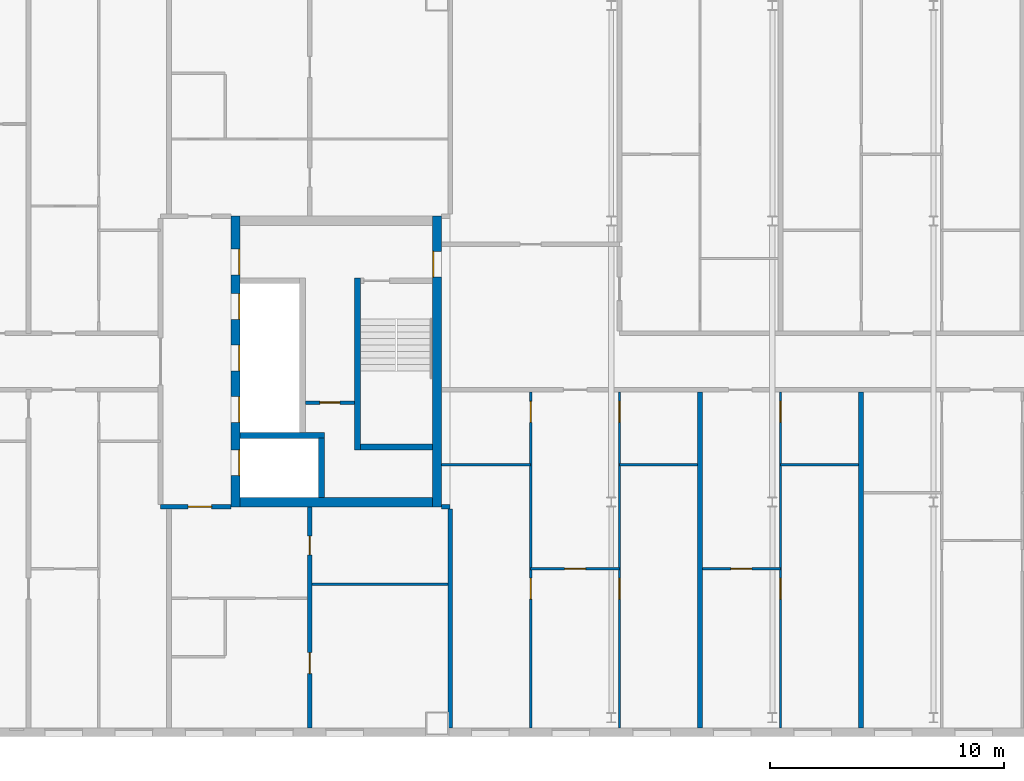
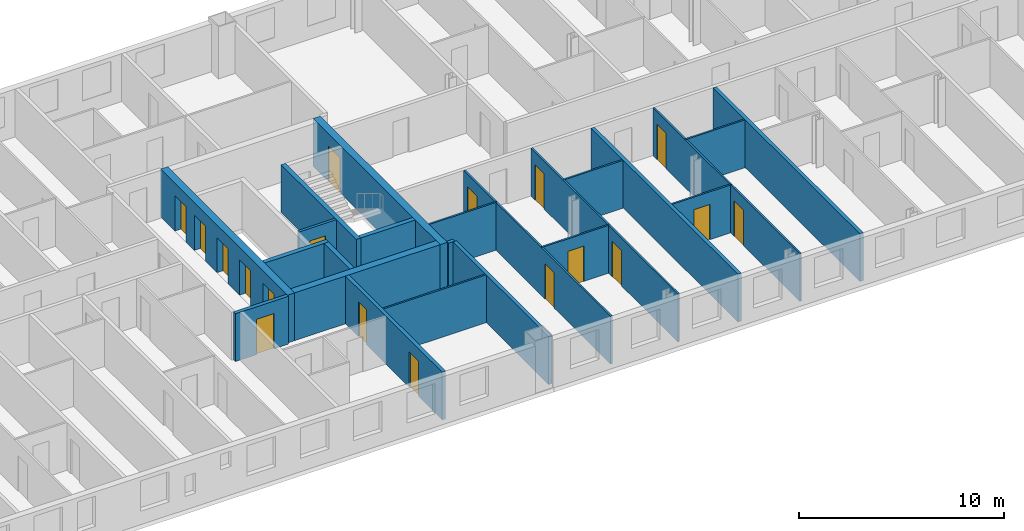
# One storey, part 8 of 19: 23 walls, 18 doors, 18 openings.
"""IFC4 building model written with IfcOpenShell, lengths in metres."""

import ifcopenshell
import ifcopenshell.guid

model = None  # the IFC model being written
_history = None  # IfcOwnerHistory: only IFC2X3 demands one
_inside = {}  # id of a spatial element -> (the spatial element, [elements in it])
_under = {}  # id of a project, library or spatial element -> (it, [spatial elements below it])
_declared = {}  # id of a project -> (the project, [libraries it declares])
_typed = {}  # id of a type object -> (the type object, [elements of that type])
_made_of = {}  # id of a material, layer set ... -> (it, [elements and type objects made of it])


def new_model(schema):
    """Start an empty IFC model of exactly this schema.

    Asked for "IFC4X3", IfcOpenShell would pick the latest addendum, in which some entities
    have other attributes; the version numbers below select the first issue.
    IFC2X3 requires an IfcOwnerHistory on every rooted entity: one is made here for all.
    """
    global model, _history
    if schema == "IFC4X3":
        model = ifcopenshell.file(schema_version=(4, 3, 0, 0))
    else:
        model = ifcopenshell.file(schema=schema)
    _inside.clear()
    _under.clear()
    _declared.clear()
    _typed.clear()
    _made_of.clear()
    _history = None
    if model.schema == "IFC2X3":
        org = make("IfcOrganization", Name="unknown")
        user = make(
            "IfcPersonAndOrganization",
            ThePerson=make("IfcPerson", FamilyName="unknown"),
            TheOrganization=org,
        )
        app = make(
            "IfcApplication",
            ApplicationDeveloper=org,
            Version="unknown",
            ApplicationFullName="unknown",
            ApplicationIdentifier="unknown",
        )
        _history = make(
            "IfcOwnerHistory",
            OwningUser=user,
            OwningApplication=app,
            ChangeAction="ADDED",
            CreationDate=0,
        )
    return model


def make(cls, **values):
    """One entity of the class cls with the attributes given. An attribute that is None is left unset."""
    return model.create_entity(
        cls, **{name: value for name, value in values.items() if value is not None}
    )


def rooted(cls, **values):
    """An entity with a GlobalId (a new one), such as an element, a storey or a relation."""
    return make(cls, GlobalId=ifcopenshell.guid.new(), OwnerHistory=_history, **values)


def si_unit(unit_type, name, prefix=None):
    """IfcSIUnit, for example si_unit("LENGTHUNIT", "METRE", prefix="MILLI")."""
    return make("IfcSIUnit", UnitType=unit_type, Prefix=prefix, Name=name)


def assignment(units):
    """IfcUnitAssignment: the units of a project."""
    return None if units is None else make("IfcUnitAssignment", Units=units)


def point(xyz):
    """IfcCartesianPoint."""
    return None if xyz is None else make("IfcCartesianPoint", Coordinates=xyz)


def direction(xyz):
    """IfcDirection."""
    return None if xyz is None else make("IfcDirection", DirectionRatios=xyz)


def frame(location, z_axis=None, x_axis=None):
    """IfcAxis2Placement3D, a coordinate frame: its origin and axes. An axis left out is left unset."""
    return make(
        "IfcAxis2Placement3D",
        Location=point(location),
        Axis=direction(z_axis),
        RefDirection=direction(x_axis),
    )


def frame_2d(location, x_axis=None):
    """IfcAxis2Placement2D, a coordinate frame in the plane: its origin and x axis."""
    return make(
        "IfcAxis2Placement2D", Location=point(location), RefDirection=direction(x_axis)
    )


def origin():
    """The frame at (0, 0, 0) with its axes left unset."""
    return frame((0.0, 0.0, 0.0))


def place(relative_to, where):
    """IfcLocalPlacement: puts the frame where relative to a parent placement (None: the world)."""
    return make(
        "IfcLocalPlacement", PlacementRelTo=relative_to, RelativePlacement=where
    )


def context(
    kind, dimensions, precision=None, world=None, true_north=None, identifier=None
):
    """IfcGeometricRepresentationContext, for example the 3D "Model" context."""
    return make(
        "IfcGeometricRepresentationContext",
        ContextIdentifier=identifier,
        ContextType=kind,
        CoordinateSpaceDimension=dimensions,
        Precision=precision,
        WorldCoordinateSystem=world,
        TrueNorth=true_north,
    )


def subcontext(parent, identifier, kind, view, scale=None):
    """IfcGeometricRepresentationSubContext, for example "Body" below "Model"."""
    return make(
        "IfcGeometricRepresentationSubContext",
        ContextIdentifier=identifier,
        ContextType=kind,
        ParentContext=parent,
        TargetScale=scale,
        TargetView=view,
    )


def project(units=None, contexts=None):
    """IfcProject with its units and contexts."""
    return rooted(
        "IfcProject",
        Name="project",
        RepresentationContexts=contexts,
        UnitsInContext=assignment(units),
    )


def spatial(cls, under=None, at=None, **own):
    """A site, building, storey or space (cls), placed at a placement, below another one or the project."""
    s = rooted(cls, ObjectPlacement=at, **own)
    if under is not None:
        _under.setdefault(under.id(), (under, []))[1].append(s)
    return s


def profile(cls, at=None, kind="AREA", **sizes):
    """A parametric profile (cls). Its sizes go by their IFC names, for example OverallWidth=200.0."""
    return make(cls, ProfileType=kind, Position=at, **sizes)


def rectangle(**sizes):
    """IfcRectangleProfileDef."""
    return profile("IfcRectangleProfileDef", **sizes)


def extrude(swept, where, along, depth):
    """IfcExtrudedAreaSolid: the profile swept, set in the frame where, extruded along a direction by depth."""
    return make(
        "IfcExtrudedAreaSolid",
        SweptArea=swept,
        Position=where,
        ExtrudedDirection=direction(along),
        Depth=depth,
    )


def shape(context_of_items, identifier, shape_type, items):
    """IfcShapeRepresentation: the items that make up one representation, for example the "Body"."""
    return make(
        "IfcShapeRepresentation",
        ContextOfItems=context_of_items,
        RepresentationIdentifier=identifier,
        RepresentationType=shape_type,
        Items=items,
    )


def material(Name=None, Category=None):
    """IfcMaterial."""
    return make("IfcMaterial", Name=Name, Category=Category)


def layer(
    of_material, thickness, ventilated=None, Name=None, Category=None, Priority=None
):
    """IfcMaterialLayer: one layer of a wall or slab, of a material (None: an air gap)."""
    return make(
        "IfcMaterialLayer",
        Material=of_material,
        LayerThickness=thickness,
        IsVentilated=ventilated,
        Name=Name,
        Category=Category,
        Priority=Priority,
    )


def layer_set(layers, Name=None):
    """IfcMaterialLayerSet."""
    return make("IfcMaterialLayerSet", MaterialLayers=layers, LayerSetName=Name)


def made_of(thing, what):
    """Note that an element or type object is made of a material, layer set ...; save() writes the relation."""
    if what is not None:
        _made_of.setdefault(what.id(), (what, []))[1].append(thing)
    return thing


def type_object(cls, material=None, **own):
    """A type object (cls), such as IfcWallType, which elements share."""
    return made_of(rooted(cls, **own), material)


def element(
    cls,
    number,
    at=None,
    inside=None,
    cuts=None,
    type_object=None,
    material=None,
    context=None,
    identifier="Body",
    shape_type=None,
    held_by="IfcProductDefinitionShape",
    body=None,
    shapes=None,
    **own,
):
    """One element of the class cls, such as IfcWall. Its Tag is "e" and its number.

    at: its placement. inside: the storey or other place that contains it. cuts: it is an
    opening in that element (IfcRelVoidsElement). A single representation is given by context,
    identifier, shape_type and body (its items); several are given by shapes. held_by: the class
    of the entity that holds the representations. save() writes the other relations.
    """
    e = rooted(cls, Tag="e%d" % number, ObjectPlacement=at, **own)
    if body is not None:
        shapes = [shape(context, identifier, shape_type, body)]
    if shapes is not None:
        e.Representation = make(held_by, Representations=shapes)
    if inside is not None:
        _inside.setdefault(inside.id(), (inside, []))[1].append(e)
    if cuts is not None:
        rooted(
            "IfcRelVoidsElement", RelatingBuildingElement=cuts, RelatedOpeningElement=e
        )
    if type_object is not None:
        _typed.setdefault(type_object.id(), (type_object, []))[1].append(e)
    return made_of(e, material)


def fill(opening, filler):
    """IfcRelFillsElement: the door or window that sits in an opening."""
    return rooted(
        "IfcRelFillsElement",
        RelatingOpeningElement=opening,
        RelatedBuildingElement=filler,
    )


def aggregate(whole, parts):
    """IfcRelAggregates: a whole, such as a stair, and the parts it consists of."""
    return rooted("IfcRelAggregates", RelatingObject=whole, RelatedObjects=parts)


def save(model, path):
    """Write the relations noted so far, then the file.

    IfcRelAggregates (storeys below a building ...), IfcRelContainedInSpatialStructure (elements
    in a storey), IfcRelDefinesByType, IfcRelAssociatesMaterial and IfcRelDeclares: one each for
    every whole, place, type object, material and project.
    """
    for whole, parts in _under.values():
        aggregate(whole, parts)
    for where, things in _inside.values():
        rooted(
            "IfcRelContainedInSpatialStructure",
            RelatedElements=things,
            RelatingStructure=where,
        )
    for kind, things in _typed.values():
        rooted("IfcRelDefinesByType", RelatedObjects=things, RelatingType=kind)
    for what, things in _made_of.values():
        rooted("IfcRelAssociatesMaterial", RelatedObjects=things, RelatingMaterial=what)
    for by, libraries in _declared.values():
        rooted("IfcRelDeclares", RelatingContext=by, RelatedDefinitions=libraries)
    model.write(path)


model = new_model("IFC4")

# Units and contexts
model_context = context("Model", 3, precision=1e-05, world=origin(), true_north=direction((0.0, 1.0)))
body_context = subcontext(model_context, "Body", "Model", "MODEL_VIEW")
ifc_project = project(units=[si_unit("LENGTHUNIT", "METRE"), si_unit("AREAUNIT", "SQUARE_METRE"), si_unit("VOLUMEUNIT", "CUBIC_METRE"), si_unit("PLANEANGLEUNIT", "RADIAN"), si_unit("MASSUNIT", "GRAM", prefix="KILO")], contexts=[model_context])

# Site, building, storey
site_placement = place(None, origin())
site = spatial("IfcSite", under=ifc_project, at=site_placement, CompositionType="ELEMENT")
building_placement = place(site_placement, origin())
building = spatial("IfcBuilding", under=site, at=building_placement, Name="Tuart Gate Housing", CompositionType="ELEMENT")
storey_placement = place(building_placement, frame((0.0, 0.0, 230.699951171875)))
storey = spatial("IfcBuildingStorey", under=building, at=storey_placement, Name="L65", CompositionType="ELEMENT", Elevation=230.699951171875)

# Wall, opening, door
ifc_material_1 = material(Name="Plasterboard partition")
ifc_layer_1 = layer(ifc_material_1, 0.14990234375)
ifc_layer_set_1 = layer_set([ifc_layer_1], Name="Core partition 150")
wall_type_1 = type_object("IfcWallType", Name="Core partition 150", PredefinedType="PARTITIONING", material=ifc_layer_set_1)
wall_1_placement = place(storey_placement, frame((69.81494140625, 68.25, 0.0), z_axis=(0.0, 0.0, 1.0), x_axis=(1.0, 0.0, 0.0)))
wall_1 = element("IfcWall", 1, at=wall_1_placement, inside=storey, type_object=wall_type_1, Name="Core partition AG.3", PredefinedType="PARTITIONING", context=body_context, shape_type="SweptSolid", body=[
    extrude(rectangle(XDim=2.10009765625, YDim=0.14990234375, at=frame_2d((1.050048828125, 0.0))), origin(), (0.0, 0.0, 1.0), 2.85009765625),
])
opening_1_placement = place(wall_1_placement, frame((0.625, 0.0, 0.0)))
opening_1 = element("IfcOpeningElement", 2, at=opening_1_placement, cuts=wall_1, Name="Opening D2477", PredefinedType="OPENING", context=body_context, shape_type="SweptSolid", body=[
    extrude(rectangle(XDim=0.85009765625, YDim=2.10009765625, at=frame_2d((0.425048828125, 1.050048828125))), frame((0.0, 0.0849609375, 0.0), z_axis=(0.0, -1.0, 0.0), x_axis=(1.0, 0.0, 0.0)), (0.0, 0.0, 1.0), 0.169921875),
])
ifc_material_2 = material(Name="Steel fire door", Category="steel")
door_type_1 = type_object("IfcDoorType", Name="Riser door 850 x 2100 RH", OperationType="SINGLE_SWING_RIGHT", PredefinedType="DOOR", material=ifc_material_2)
door_1_placement = place(opening_1_placement, frame((0.85009765625, 0.0, 0.0), z_axis=(0.0, 0.0, 1.0), x_axis=(-1.0, 0.0, 0.0)))
door_1 = element("IfcDoor", 3, at=door_1_placement, inside=storey, type_object=door_type_1, Name="Service room door AG.E1", OperationType="SINGLE_SWING_RIGHT", OverallHeight=2.10009765625, OverallWidth=0.85009765625, PredefinedType="DOOR", context=body_context, shape_type="SweptSolid", body=[
    extrude(rectangle(XDim=0.85009765625, YDim=2.10009765625, at=frame_2d((0.425048828125, 1.050048828125))), frame((0.0, 0.025146484375, 0.0), z_axis=(0.0, -1.0, 0.0), x_axis=(1.0, 0.0, 0.0)), (0.0, 0.0, 1.0), 0.050048828125),
])
fill(opening_1, door_1)

# Walls
ifc_material_3 = material(Name="Concrete C40", Category="concrete")
ifc_layer_2 = layer(ifc_material_3, 0.25)
ifc_layer_set_2 = layer_set([ifc_layer_2], Name="Core wall 250 C40")
wall_type_2 = type_object("IfcWallType", Name="Core wall 250 C40", PredefinedType="SHEAR", material=ifc_layer_set_2)
wall_2_placement = place(storey_placement, frame((72.1650390625, 66.35009765625, 0.0), z_axis=(0.0, 0.0, 1.0), x_axis=(1.0, 0.0, 0.0)))
element("IfcWall", 4, at=wall_2_placement, inside=storey, type_object=wall_type_2, Name="Core wall AG.1", PredefinedType="SHEAR", context=body_context, shape_type="SweptSolid", body=[
    extrude(rectangle(XDim=3.074951171875, YDim=0.25, at=frame_2d((1.53759765625, 0.0))), origin(), (0.0, 0.0, 1.0), 2.85009765625),
])
wall_3_placement = place(storey_placement, frame((67.0400390625, 66.85009765625, 0.0), z_axis=(0.0, 0.0, 1.0), x_axis=(1.0, 0.0, 0.0)))
element("IfcWall", 5, at=wall_3_placement, inside=storey, type_object=wall_type_2, Name="Core wall AG.2", PredefinedType="SHEAR", context=body_context, shape_type="SweptSolid", body=[
    extrude(rectangle(XDim=3.594970703125, YDim=0.25, at=frame_2d((1.79736328125, 0.0))), origin(), (0.0, 0.0, 1.0), 2.85009765625),
])
wall_4_placement = place(storey_placement, frame((70.510009765625, 64.199951171875, 0.0), z_axis=(0.0, 0.0, 1.0), x_axis=(0.0, 1.0, 0.0)))
element("IfcWall", 6, at=wall_4_placement, inside=storey, type_object=wall_type_2, Name="Core wall AG.7", PredefinedType="SHEAR", context=body_context, shape_type="SweptSolid", body=[
    extrude(rectangle(XDim=2.525146484375, YDim=0.25, at=frame_2d((1.2626953125, 0.0))), origin(), (0.0, 0.0, 1.0), 2.85009765625),
])
wall_5_placement = place(storey_placement, frame((72.0400390625, 66.22509765625, 0.0), z_axis=(0.0, 0.0, 1.0), x_axis=(0.0, 1.0, 0.0)))
element("IfcWall", 7, at=wall_5_placement, inside=storey, type_object=wall_type_2, Name="Core wall AG.8", PredefinedType="SHEAR", context=body_context, shape_type="SweptSolid", body=[
    extrude(rectangle(XDim=7.349853515625, YDim=0.25, at=frame_2d((3.6748046875, 0.0))), origin(), (0.0, 0.0, 1.0), 2.85009765625),
])

# Wall, openings, doors
ifc_material_4 = material(Name="Concrete C40", Category="concrete")
ifc_layer_3 = layer(ifc_material_4, 0.39990234375)
ifc_layer_set_3 = layer_set([ifc_layer_3], Name="Core wall 400 C40")
wall_type_3 = type_object("IfcWallType", Name="Core wall 400 C40", PredefinedType="SHEAR", material=ifc_layer_set_3)
wall_6_placement = place(storey_placement, frame((66.840087890625, 63.800048828125, 0.0), z_axis=(0.0, 0.0, 1.0), x_axis=(0.0, 1.0, 0.0)))
wall_6 = element("IfcWall", 8, at=wall_6_placement, inside=storey, type_object=wall_type_3, Name="Core wall AG front", PredefinedType="SHEAR", context=body_context, shape_type="SweptSolid", body=[
    extrude(rectangle(XDim=12.39990234375, YDim=0.39990234375, at=frame_2d((6.199951171875, 0.0))), origin(), (0.0, 0.0, 1.0), 2.85009765625),
])
opening_2_placement = place(wall_6_placement, frame((1.324951171875, 0.0, 0.0)))
opening_2 = element("IfcOpeningElement", 9, at=opening_2_placement, cuts=wall_6, Name="Opening LD-FA1", PredefinedType="OPENING", context=body_context, shape_type="SweptSolid", body=[
    extrude(rectangle(XDim=1.10009765625, YDim=2.10009765625, at=frame_2d((0.550048828125, 1.050048828125))), frame((0.0, 0.2099609375, 0.0), z_axis=(0.0, -1.0, 0.0), x_axis=(1.0, 0.0, 0.0)), (0.0, 0.0, 1.0), 0.419921875),
])
opening_3_placement = place(wall_6_placement, frame((3.60009765625, 0.0, 0.0)))
opening_3 = element("IfcOpeningElement", 10, at=opening_3_placement, cuts=wall_6, Name="Opening LD-LA1", PredefinedType="OPENING", context=body_context, shape_type="SweptSolid", body=[
    extrude(rectangle(XDim=1.10009765625, YDim=2.10009765625, at=frame_2d((0.550048828125, 1.050048828125))), frame((0.0, 0.2099609375, 0.0), z_axis=(0.0, -1.0, 0.0), x_axis=(1.0, 0.0, 0.0)), (0.0, 0.0, 1.0), 0.419921875),
])
opening_4_placement = place(wall_6_placement, frame((5.800048828125, 0.0, 0.0)))
opening_4 = element("IfcOpeningElement", 11, at=opening_4_placement, cuts=wall_6, Name="Opening LD-LA2", PredefinedType="OPENING", context=body_context, shape_type="SweptSolid", body=[
    extrude(rectangle(XDim=1.10009765625, YDim=2.10009765625, at=frame_2d((0.550048828125, 1.050048828125))), frame((0.0, 0.2099609375, 0.0), z_axis=(0.0, -1.0, 0.0), x_axis=(1.0, 0.0, 0.0)), (0.0, 0.0, 1.0), 0.419921875),
])
opening_5_placement = place(wall_6_placement, frame((8.0, 0.0, 0.0)))
opening_5 = element("IfcOpeningElement", 12, at=opening_5_placement, cuts=wall_6, Name="Opening LD-LA3", PredefinedType="OPENING", context=body_context, shape_type="SweptSolid", body=[
    extrude(rectangle(XDim=1.10009765625, YDim=2.10009765625, at=frame_2d((0.550048828125, 1.050048828125))), frame((0.0, 0.2099609375, 0.0), z_axis=(0.0, -1.0, 0.0), x_axis=(1.0, 0.0, 0.0)), (0.0, 0.0, 1.0), 0.419921875),
])
opening_6_placement = place(wall_6_placement, frame((9.89990234375, 0.0, 0.0)))
opening_6 = element("IfcOpeningElement", 13, at=opening_6_placement, cuts=wall_6, Name="Opening D2473", PredefinedType="OPENING", context=body_context, shape_type="SweptSolid", body=[
    extrude(rectangle(XDim=1.10009765625, YDim=2.10009765625, at=frame_2d((0.550048828125, 1.050048828125))), frame((0.0, 0.2099609375, 0.0), z_axis=(0.0, -1.0, 0.0), x_axis=(1.0, 0.0, 0.0)), (0.0, 0.0, 1.0), 0.419921875),
])
ifc_material_5 = material(Name="Stainless steel", Category="steel")
door_type_2 = type_object("IfcDoorType", Name="Landing door 1100 x 2100", OperationType="DOUBLE_DOOR_SLIDING", PredefinedType="DOOR", material=ifc_material_5)
door_2_placement = place(opening_2_placement, origin())
door_2 = element("IfcDoor", 14, at=door_2_placement, inside=storey, type_object=door_type_2, Name="Lift landing door FA1", OperationType="DOUBLE_DOOR_SLIDING", OverallHeight=2.10009765625, OverallWidth=1.10009765625, PredefinedType="DOOR", context=body_context, shape_type="SweptSolid", body=[
    extrude(rectangle(XDim=1.10009765625, YDim=2.10009765625, at=frame_2d((0.550048828125, 1.050048828125))), frame((0.0, -0.134765625, 0.0), z_axis=(0.0, -1.0, 0.0), x_axis=(1.0, 0.0, 0.0)), (0.0, 0.0, 1.0), 0.050048828125),
])
fill(opening_2, door_2)
door_3_placement = place(opening_3_placement, origin())
door_3 = element("IfcDoor", 15, at=door_3_placement, inside=storey, type_object=door_type_2, Name="Lift landing door LA1", OperationType="DOUBLE_DOOR_SLIDING", OverallHeight=2.10009765625, OverallWidth=1.10009765625, PredefinedType="DOOR", context=body_context, shape_type="SweptSolid", body=[
    extrude(rectangle(XDim=1.10009765625, YDim=2.10009765625, at=frame_2d((0.550048828125, 1.050048828125))), frame((0.0, -0.134765625, 0.0), z_axis=(0.0, -1.0, 0.0), x_axis=(1.0, 0.0, 0.0)), (0.0, 0.0, 1.0), 0.050048828125),
])
fill(opening_3, door_3)
door_4_placement = place(opening_4_placement, origin())
door_4 = element("IfcDoor", 16, at=door_4_placement, inside=storey, type_object=door_type_2, Name="Lift landing door LA2", OperationType="DOUBLE_DOOR_SLIDING", OverallHeight=2.10009765625, OverallWidth=1.10009765625, PredefinedType="DOOR", context=body_context, shape_type="SweptSolid", body=[
    extrude(rectangle(XDim=1.10009765625, YDim=2.10009765625, at=frame_2d((0.550048828125, 1.050048828125))), frame((0.0, -0.134765625, 0.0), z_axis=(0.0, -1.0, 0.0), x_axis=(1.0, 0.0, 0.0)), (0.0, 0.0, 1.0), 0.050048828125),
])
fill(opening_4, door_4)
door_5_placement = place(opening_5_placement, origin())
door_5 = element("IfcDoor", 17, at=door_5_placement, inside=storey, type_object=door_type_2, Name="Lift landing door LA3", OperationType="DOUBLE_DOOR_SLIDING", OverallHeight=2.10009765625, OverallWidth=1.10009765625, PredefinedType="DOOR", context=body_context, shape_type="SweptSolid", body=[
    extrude(rectangle(XDim=1.10009765625, YDim=2.10009765625, at=frame_2d((0.550048828125, 1.050048828125))), frame((0.0, -0.134765625, 0.0), z_axis=(0.0, -1.0, 0.0), x_axis=(1.0, 0.0, 0.0)), (0.0, 0.0, 1.0), 0.050048828125),
])
fill(opening_5, door_5)
ifc_material_6 = material(Name="Steel fire door", Category="steel")
door_type_3 = type_object("IfcDoorType", Name="Lobby door 1100 x 2100 RH", OperationType="SINGLE_SWING_RIGHT", PredefinedType="DOOR", material=ifc_material_6)
door_6_placement = place(opening_6_placement, frame((1.10009765625, 0.0, 0.0), z_axis=(0.0, 0.0, 1.0), x_axis=(-1.0, 0.0, 0.0)))
door_6 = element("IfcDoor", 18, at=door_6_placement, inside=storey, type_object=door_type_3, Name="Lobby entry door AG.EN", OperationType="SINGLE_SWING_RIGHT", OverallHeight=2.10009765625, OverallWidth=1.10009765625, PredefinedType="DOOR", context=body_context, shape_type="SweptSolid", body=[
    extrude(rectangle(XDim=1.10009765625, YDim=2.10009765625, at=frame_2d((0.550048828125, 1.050048828125))), frame((0.0, 0.184814453125, 0.0), z_axis=(0.0, -1.0, 0.0), x_axis=(1.0, 0.0, 0.0)), (0.0, 0.0, 1.0), 0.050048828125),
])
fill(opening_6, door_6)

# Wall, opening, door
wall_7_placement = place(storey_placement, frame((75.43994140625, 63.800048828125, 0.0), z_axis=(0.0, 0.0, 1.0), x_axis=(0.0, 1.0, 0.0)))
wall_7 = element("IfcWall", 19, at=wall_7_placement, inside=storey, type_object=wall_type_3, Name="Core wall AG back", PredefinedType="SHEAR", context=body_context, shape_type="SweptSolid", body=[
    extrude(rectangle(XDim=12.39990234375, YDim=0.39990234375, at=frame_2d((6.199951171875, 0.0))), origin(), (0.0, 0.0, 1.0), 2.85009765625),
])
opening_7_placement = place(wall_7_placement, frame((9.800048828125, 0.0, 0.0)))
opening_7 = element("IfcOpeningElement", 20, at=opening_7_placement, cuts=wall_7, Name="Opening D2474", PredefinedType="OPENING", context=body_context, shape_type="SweptSolid", body=[
    extrude(rectangle(XDim=1.10009765625, YDim=2.10009765625, at=frame_2d((0.550048828125, 1.050048828125))), frame((0.0, 0.2099609375, 0.0), z_axis=(0.0, -1.0, 0.0), x_axis=(1.0, 0.0, 0.0)), (0.0, 0.0, 1.0), 0.419921875),
])
ifc_material_7 = material(Name="Steel fire door", Category="steel")
door_type_4 = type_object("IfcDoorType", Name="Lobby door 1100 x 2100", OperationType="SINGLE_SWING_LEFT", PredefinedType="DOOR", material=ifc_material_7)
door_7_placement = place(opening_7_placement, origin())
door_7 = element("IfcDoor", 21, at=door_7_placement, inside=storey, type_object=door_type_4, Name="Link door AG.LK", OperationType="SINGLE_SWING_LEFT", OverallHeight=2.10009765625, OverallWidth=1.10009765625, PredefinedType="DOOR", context=body_context, shape_type="SweptSolid", body=[
    extrude(rectangle(XDim=1.10009765625, YDim=2.10009765625, at=frame_2d((0.550048828125, 1.050048828125))), frame((0.0, 0.18505859375, 0.0), z_axis=(0.0, -1.0, 0.0), x_axis=(1.0, 0.0, 0.0)), (0.0, 0.0, 1.0), 0.050048828125),
])
fill(opening_7, door_7)

# Wall
wall_8_placement = place(storey_placement, frame((67.0400390625, 64.0, 0.0), z_axis=(0.0, 0.0, 1.0), x_axis=(1.0, 0.0, 0.0)))
element("IfcWall", 22, at=wall_8_placement, inside=storey, type_object=wall_type_3, Name="Core wall AG south", PredefinedType="SHEAR", context=body_context, shape_type="SweptSolid", body=[
    extrude(rectangle(XDim=8.199951171875, YDim=0.39990234375, at=frame_2d((4.10009765625, 0.0))), origin(), (0.0, 0.0, 1.0), 2.85009765625),
])

# Wall, opening, door
ifc_material_8 = material(Name="Concrete masonry 15 MPa", Category="masonry")
ifc_layer_4 = layer(ifc_material_8, 0.199951171875)
ifc_layer_set_4 = layer_set([ifc_layer_4], Name="Enclosure wall masonry 200")
wall_type_4 = type_object("IfcWallType", Name="Enclosure wall masonry 200", PredefinedType="PARTITIONING", material=ifc_layer_set_4)
wall_9_placement = place(storey_placement, frame((63.639892578125, 63.800048828125, 0.0), z_axis=(0.0, 0.0, 1.0), x_axis=(1.0, 0.0, 0.0)))
wall_9 = element("IfcWall", 23, at=wall_9_placement, inside=storey, type_object=wall_type_4, Name="Enclosure wall masonry 200", PredefinedType="PARTITIONING", context=body_context, shape_type="SweptSolid", body=[
    extrude(rectangle(XDim=3.0, YDim=0.199951171875, at=frame_2d((1.5, 0.0))), origin(), (0.0, 0.0, 1.0), 2.85009765625),
])
opening_8_placement = place(wall_9_placement, frame((1.179931640625, 0.0, 0.0)))
opening_8 = element("IfcOpeningElement", 24, at=opening_8_placement, cuts=wall_9, Name="Opening D2480", PredefinedType="OPENING", context=body_context, shape_type="SweptSolid", body=[
    extrude(rectangle(XDim=1.0, YDim=2.10009765625, at=frame_2d((0.5, 1.050048828125))), frame((0.0, 0.10986328125, 0.0), z_axis=(0.0, -1.0, 0.0), x_axis=(1.0, 0.0, 0.0)), (0.0, 0.0, 1.0), 0.219970703125),
])
ifc_material_9 = material(Name="Timber door leaf in steel frame", Category="steel")
door_type_5 = type_object("IfcDoorType", Name="Flat entrance door 1000 RH", OperationType="SINGLE_SWING_RIGHT", PredefinedType="DOOR", material=ifc_material_9)
door_8_placement = place(opening_8_placement, frame((1.0, 0.0, 0.0), z_axis=(0.0, 0.0, 1.0), x_axis=(-1.0, 0.0, 0.0)))
door_8 = element("IfcDoor", 25, at=door_8_placement, inside=storey, type_object=door_type_5, Name="Flat entrance door", OperationType="SINGLE_SWING_RIGHT", OverallHeight=2.10009765625, OverallWidth=1.0, PredefinedType="DOOR", context=body_context, shape_type="SweptSolid", body=[
    extrude(rectangle(XDim=1.0, YDim=2.10009765625, at=frame_2d((0.5, 1.050048828125))), frame((0.0, 0.025146484375, 0.0), z_axis=(0.0, -1.0, 0.0), x_axis=(1.0, 0.0, 0.0)), (0.0, 0.0, 1.0), 0.050048828125),
])
fill(opening_8, door_8)

# Wall
ifc_material_10 = material(Name="Gypsum board on steel studs", Category="steel")
ifc_layer_5 = layer(ifc_material_10, 0.10009765625)
ifc_layer_set_5 = layer_set([ifc_layer_5], Name="Partition 100")
wall_type_5 = type_object("IfcWallType", Name="Partition 100", PredefinedType="PARTITIONING", material=ifc_layer_set_5)
wall_10_placement = place(storey_placement, frame((70.10009765625, 60.5, 0.0), z_axis=(0.0, 0.0, 1.0), x_axis=(1.0, 0.0, 0.0)))
element("IfcWall", 26, at=wall_10_placement, inside=storey, type_object=wall_type_5, Name="Partition 100", PredefinedType="PARTITIONING", context=body_context, shape_type="SweptSolid", body=[
    extrude(rectangle(XDim=5.7998046875, YDim=0.10009765625, at=frame_2d((2.89990234375, 0.0))), origin(), (0.0, 0.0, 1.0), 2.85009765625),
])

# Wall, opening, door
wall_11_placement = place(storey_placement, frame((79.43798828125, 61.159912109375, 0.0), z_axis=(0.0, 0.0, 1.0), x_axis=(1.0, 0.0, 0.0)))
wall_11 = element("IfcWall", 27, at=wall_11_placement, inside=storey, type_object=wall_type_5, Name="Partition 100", PredefinedType="PARTITIONING", context=body_context, shape_type="SweptSolid", body=[
    extrude(rectangle(XDim=3.787109375, YDim=0.10009765625, at=frame_2d((1.8935546875, 0.0))), origin(), (0.0, 0.0, 1.0), 2.85009765625),
])
opening_9_placement = place(wall_11_placement, frame((1.443603515625, 0.0, 0.0)))
opening_9 = element("IfcOpeningElement", 28, at=opening_9_placement, cuts=wall_11, Name="Opening D2554", PredefinedType="OPENING", context=body_context, shape_type="SweptSolid", body=[
    extrude(rectangle(XDim=0.89990234375, YDim=2.10009765625, at=frame_2d((0.449951171875, 1.050048828125))), frame((0.0, 0.06005859375, 0.0), z_axis=(0.0, -1.0, 0.0), x_axis=(1.0, 0.0, 0.0)), (0.0, 0.0, 1.0), 0.1201171875),
])
ifc_material_11 = material(Name="Timber door leaf in steel frame", Category="steel")
door_type_6 = type_object("IfcDoorType", Name="Internal door 900", OperationType="SINGLE_SWING_LEFT", PredefinedType="DOOR", material=ifc_material_11)
door_9_placement = place(opening_9_placement, origin())
door_9 = element("IfcDoor", 29, at=door_9_placement, inside=storey, type_object=door_type_6, Name="Internal door", OperationType="SINGLE_SWING_LEFT", OverallHeight=2.10009765625, OverallWidth=0.89990234375, PredefinedType="DOOR", context=body_context, shape_type="SweptSolid", body=[
    extrude(rectangle(XDim=0.89990234375, YDim=2.10009765625, at=frame_2d((0.449951171875, 1.050048828125))), frame((0.0, 0.02490234375, 0.0), z_axis=(0.0, -1.0, 0.0), x_axis=(1.0, 0.0, 0.0)), (0.0, 0.0, 1.0), 0.050048828125),
])
fill(opening_9, door_9)

wall_12_placement = place(storey_placement, frame((86.761962890625, 61.159912109375, 0.0), z_axis=(0.0, 0.0, 1.0), x_axis=(1.0, 0.0, 0.0)))
wall_12 = element("IfcWall", 30, at=wall_12_placement, inside=storey, type_object=wall_type_5, Name="Partition 100", PredefinedType="PARTITIONING", context=body_context, shape_type="SweptSolid", body=[
    extrude(rectangle(XDim=3.338134765625, YDim=0.10009765625, at=frame_2d((1.6689453125, 0.0))), origin(), (0.0, 0.0, 1.0), 2.85009765625),
])
opening_10_placement = place(wall_12_placement, frame((1.218994140625, 0.0, 0.0)))
opening_10 = element("IfcOpeningElement", 31, at=opening_10_placement, cuts=wall_12, Name="Opening D2555", PredefinedType="OPENING", context=body_context, shape_type="SweptSolid", body=[
    extrude(rectangle(XDim=0.89990234375, YDim=2.10009765625, at=frame_2d((0.449951171875, 1.050048828125))), frame((0.0, 0.06005859375, 0.0), z_axis=(0.0, -1.0, 0.0), x_axis=(1.0, 0.0, 0.0)), (0.0, 0.0, 1.0), 0.1201171875),
])
ifc_material_12 = material(Name="Timber door leaf in steel frame", Category="steel")
door_type_7 = type_object("IfcDoorType", Name="Internal door 900 RH", OperationType="SINGLE_SWING_RIGHT", PredefinedType="DOOR", material=ifc_material_12)
door_10_placement = place(opening_10_placement, origin())
door_10 = element("IfcDoor", 32, at=door_10_placement, inside=storey, type_object=door_type_7, Name="Internal door", OperationType="SINGLE_SWING_RIGHT", OverallHeight=2.10009765625, OverallWidth=0.89990234375, PredefinedType="DOOR", context=body_context, shape_type="SweptSolid", body=[
    extrude(rectangle(XDim=0.89990234375, YDim=2.10009765625, at=frame_2d((0.449951171875, 1.050048828125))), frame((0.0, 0.02490234375, 0.0), z_axis=(0.0, -1.0, 0.0), x_axis=(1.0, 0.0, 0.0)), (0.0, 0.0, 1.0), 0.050048828125),
])
fill(opening_10, door_10)

# Walls
wall_13_placement = place(storey_placement, frame((75.639892578125, 65.60009765625, 0.0), z_axis=(0.0, 0.0, 1.0), x_axis=(1.0, 0.0, 0.0)))
element("IfcWall", 33, at=wall_13_placement, inside=storey, type_object=wall_type_5, Name="Partition 100", PredefinedType="PARTITIONING", context=body_context, shape_type="SweptSolid", body=[
    extrude(rectangle(XDim=3.798095703125, YDim=0.10009765625, at=frame_2d((1.89892578125, 0.0))), origin(), (0.0, 0.0, 1.0), 2.85009765625),
])
for number, where, z_axis, x_axis, name in (
    (34, (83.22509765625, 65.60009765625, 0.0), (0.0, 0.0, 1.0), (1.0, 0.0, 0.0), "Partition 100"),
    (35, (90.10009765625, 65.60009765625, 0.0), (0.0, 0.0, 1.0), (1.0, 0.0, 0.0), "Partition 100"),
):
    element("IfcWall", number, at=place(storey_placement, frame(where, z_axis=z_axis, x_axis=x_axis)), inside=storey, type_object=wall_type_5, Name=name, PredefinedType="PARTITIONING", context=body_context, shape_type="SweptSolid", body=[
        extrude(rectangle(XDim=3.3369140625, YDim=0.10009765625, at=frame_2d((1.66845703125, 0.0))), origin(), (0.0, 0.0, 1.0), 2.85009765625),
    ])

# Wall, openings, doors
wall_14_placement = place(storey_placement, frame((79.43798828125, 54.360107421875, 0.0), z_axis=(0.0, 0.0, 1.0), x_axis=(0.0, 1.0, 0.0)))
wall_14 = element("IfcWall", 36, at=wall_14_placement, inside=storey, type_object=wall_type_5, Name="Partition 100", PredefinedType="PARTITIONING", context=body_context, shape_type="SweptSolid", body=[
    extrude(rectangle(XDim=14.33984375, YDim=0.10009765625, at=frame_2d((7.169921875, 0.0))), origin(), (0.0, 0.0, 1.0), 2.85009765625),
])
opening_11_placement = place(wall_14_placement, frame((5.5, 0.0, 0.0)))
opening_11 = element("IfcOpeningElement", 37, at=opening_11_placement, cuts=wall_14, Name="Opening D2537", PredefinedType="OPENING", context=body_context, shape_type="SweptSolid", body=[
    extrude(rectangle(XDim=0.89990234375, YDim=2.10009765625, at=frame_2d((0.449951171875, 1.050048828125))), frame((0.0, 0.06005859375, 0.0), z_axis=(0.0, -1.0, 0.0), x_axis=(1.0, 0.0, 0.0)), (0.0, 0.0, 1.0), 0.1201171875),
])
opening_12_placement = place(wall_14_placement, frame((13.0400390625, 0.0, 0.0)))
opening_12 = element("IfcOpeningElement", 38, at=opening_12_placement, cuts=wall_14, Name="Opening D2536", PredefinedType="OPENING", context=body_context, shape_type="SweptSolid", body=[
    extrude(rectangle(XDim=0.89990234375, YDim=2.10009765625, at=frame_2d((0.449951171875, 1.050048828125))), frame((0.0, 0.06005859375, 0.0), z_axis=(0.0, -1.0, 0.0), x_axis=(1.0, 0.0, 0.0)), (0.0, 0.0, 1.0), 0.1201171875),
])
ifc_material_13 = material(Name="Timber door leaf in steel frame", Category="steel")
door_type_8 = type_object("IfcDoorType", Name="Bathroom door 900 RH", OperationType="SINGLE_SWING_RIGHT", PredefinedType="DOOR", material=ifc_material_13)
door_11_placement = place(opening_12_placement, origin())
door_11 = element("IfcDoor", 39, at=door_11_placement, inside=storey, type_object=door_type_8, Name="Bathroom door", OperationType="SINGLE_SWING_RIGHT", OverallHeight=2.10009765625, OverallWidth=0.89990234375, PredefinedType="DOOR", context=body_context, shape_type="SweptSolid", body=[
    extrude(rectangle(XDim=0.89990234375, YDim=2.10009765625, at=frame_2d((0.449951171875, 1.050048828125))), frame((0.0, 0.02490234375, 0.0), z_axis=(0.0, -1.0, 0.0), x_axis=(1.0, 0.0, 0.0)), (0.0, 0.0, 1.0), 0.050048828125),
])
fill(opening_12, door_11)
door_12_placement = place(opening_11_placement, origin())
door_12 = element("IfcDoor", 40, at=door_12_placement, inside=storey, type_object=door_type_7, Name="Internal door", OperationType="SINGLE_SWING_RIGHT", OverallHeight=2.10009765625, OverallWidth=0.89990234375, PredefinedType="DOOR", context=body_context, shape_type="SweptSolid", body=[
    extrude(rectangle(XDim=0.89990234375, YDim=2.10009765625, at=frame_2d((0.449951171875, 1.050048828125))), frame((0.0, 0.02490234375, 0.0), z_axis=(0.0, -1.0, 0.0), x_axis=(1.0, 0.0, 0.0)), (0.0, 0.0, 1.0), 0.050048828125),
])
fill(opening_11, door_12)

wall_15_placement = place(storey_placement, frame((83.22509765625, 54.360107421875, 0.0), z_axis=(0.0, 0.0, 1.0), x_axis=(0.0, 1.0, 0.0)))
wall_15 = element("IfcWall", 41, at=wall_15_placement, inside=storey, type_object=wall_type_5, Name="Partition 100", PredefinedType="PARTITIONING", context=body_context, shape_type="SweptSolid", body=[
    extrude(rectangle(XDim=14.33984375, YDim=0.10009765625, at=frame_2d((7.169921875, 0.0))), origin(), (0.0, 0.0, 1.0), 2.85009765625),
])
opening_13_placement = place(wall_15_placement, frame((5.5, 0.0, 0.0)))
opening_13 = element("IfcOpeningElement", 42, at=opening_13_placement, cuts=wall_15, Name="Opening D2539", PredefinedType="OPENING", context=body_context, shape_type="SweptSolid", body=[
    extrude(rectangle(XDim=0.89990234375, YDim=2.10009765625, at=frame_2d((0.449951171875, 1.050048828125))), frame((0.0, 0.06005859375, 0.0), z_axis=(0.0, -1.0, 0.0), x_axis=(1.0, 0.0, 0.0)), (0.0, 0.0, 1.0), 0.1201171875),
])
opening_14_placement = place(wall_15_placement, frame((13.0400390625, 0.0, 0.0)))
opening_14 = element("IfcOpeningElement", 43, at=opening_14_placement, cuts=wall_15, Name="Opening D2538", PredefinedType="OPENING", context=body_context, shape_type="SweptSolid", body=[
    extrude(rectangle(XDim=0.89990234375, YDim=2.10009765625, at=frame_2d((0.449951171875, 1.050048828125))), frame((0.0, 0.06005859375, 0.0), z_axis=(0.0, -1.0, 0.0), x_axis=(1.0, 0.0, 0.0)), (0.0, 0.0, 1.0), 0.1201171875),
])
ifc_material_14 = material(Name="Timber door leaf in steel frame", Category="steel")
door_type_9 = type_object("IfcDoorType", Name="Bathroom door 900", OperationType="SINGLE_SWING_LEFT", PredefinedType="DOOR", material=ifc_material_14)
door_13_placement = place(opening_14_placement, frame((0.89990234375, 0.0, 0.0), z_axis=(0.0, 0.0, 1.0), x_axis=(-1.0, 0.0, 0.0)))
door_13 = element("IfcDoor", 44, at=door_13_placement, inside=storey, type_object=door_type_9, Name="Bathroom door", OperationType="SINGLE_SWING_LEFT", OverallHeight=2.10009765625, OverallWidth=0.89990234375, PredefinedType="DOOR", context=body_context, shape_type="SweptSolid", body=[
    extrude(rectangle(XDim=0.89990234375, YDim=2.10009765625, at=frame_2d((0.449951171875, 1.050048828125))), frame((0.0, 0.025146484375, 0.0), z_axis=(0.0, -1.0, 0.0), x_axis=(1.0, 0.0, 0.0)), (0.0, 0.0, 1.0), 0.050048828125),
])
fill(opening_14, door_13)
door_14_placement = place(opening_13_placement, frame((0.89990234375, 0.0, 0.0), z_axis=(0.0, 0.0, 1.0), x_axis=(-1.0, 0.0, 0.0)))
door_14 = element("IfcDoor", 45, at=door_14_placement, inside=storey, type_object=door_type_6, Name="Internal door", OperationType="SINGLE_SWING_LEFT", OverallHeight=2.10009765625, OverallWidth=0.89990234375, PredefinedType="DOOR", context=body_context, shape_type="SweptSolid", body=[
    extrude(rectangle(XDim=0.89990234375, YDim=2.10009765625, at=frame_2d((0.449951171875, 1.050048828125))), frame((0.0, 0.025146484375, 0.0), z_axis=(0.0, -1.0, 0.0), x_axis=(1.0, 0.0, 0.0)), (0.0, 0.0, 1.0), 0.050048828125),
])
fill(opening_13, door_14)

wall_16_placement = place(storey_placement, frame((90.10009765625, 54.360107421875, 0.0), z_axis=(0.0, 0.0, 1.0), x_axis=(0.0, 1.0, 0.0)))
wall_16 = element("IfcWall", 46, at=wall_16_placement, inside=storey, type_object=wall_type_5, Name="Partition 100", PredefinedType="PARTITIONING", context=body_context, shape_type="SweptSolid", body=[
    extrude(rectangle(XDim=14.33984375, YDim=0.10009765625, at=frame_2d((7.169921875, 0.0))), origin(), (0.0, 0.0, 1.0), 2.85009765625),
])
opening_15_placement = place(wall_16_placement, frame((5.5, 0.0, 0.0)))
opening_15 = element("IfcOpeningElement", 47, at=opening_15_placement, cuts=wall_16, Name="Opening D2541", PredefinedType="OPENING", context=body_context, shape_type="SweptSolid", body=[
    extrude(rectangle(XDim=0.89990234375, YDim=2.10009765625, at=frame_2d((0.449951171875, 1.050048828125))), frame((0.0, 0.06005859375, 0.0), z_axis=(0.0, -1.0, 0.0), x_axis=(1.0, 0.0, 0.0)), (0.0, 0.0, 1.0), 0.1201171875),
])
opening_16_placement = place(wall_16_placement, frame((13.0400390625, 0.0, 0.0)))
opening_16 = element("IfcOpeningElement", 48, at=opening_16_placement, cuts=wall_16, Name="Opening D2540", PredefinedType="OPENING", context=body_context, shape_type="SweptSolid", body=[
    extrude(rectangle(XDim=0.89990234375, YDim=2.10009765625, at=frame_2d((0.449951171875, 1.050048828125))), frame((0.0, 0.06005859375, 0.0), z_axis=(0.0, -1.0, 0.0), x_axis=(1.0, 0.0, 0.0)), (0.0, 0.0, 1.0), 0.1201171875),
])
door_15_placement = place(opening_16_placement, frame((0.89990234375, 0.0, 0.0), z_axis=(0.0, 0.0, 1.0), x_axis=(-1.0, 0.0, 0.0)))
door_15 = element("IfcDoor", 49, at=door_15_placement, inside=storey, type_object=door_type_9, Name="Bathroom door", OperationType="SINGLE_SWING_LEFT", OverallHeight=2.10009765625, OverallWidth=0.89990234375, PredefinedType="DOOR", context=body_context, shape_type="SweptSolid", body=[
    extrude(rectangle(XDim=0.89990234375, YDim=2.10009765625, at=frame_2d((0.449951171875, 1.050048828125))), frame((0.0, 0.025146484375, 0.0), z_axis=(0.0, -1.0, 0.0), x_axis=(1.0, 0.0, 0.0)), (0.0, 0.0, 1.0), 0.050048828125),
])
fill(opening_16, door_15)
door_16_placement = place(opening_15_placement, frame((0.89990234375, 0.0, 0.0), z_axis=(0.0, 0.0, 1.0), x_axis=(-1.0, 0.0, 0.0)))
door_16 = element("IfcDoor", 50, at=door_16_placement, inside=storey, type_object=door_type_6, Name="Internal door", OperationType="SINGLE_SWING_LEFT", OverallHeight=2.10009765625, OverallWidth=0.89990234375, PredefinedType="DOOR", context=body_context, shape_type="SweptSolid", body=[
    extrude(rectangle(XDim=0.89990234375, YDim=2.10009765625, at=frame_2d((0.449951171875, 1.050048828125))), frame((0.0, 0.025146484375, 0.0), z_axis=(0.0, -1.0, 0.0), x_axis=(1.0, 0.0, 0.0)), (0.0, 0.0, 1.0), 0.050048828125),
])
fill(opening_15, door_16)

ifc_material_15 = material(Name="Concrete C40", Category="concrete")
ifc_layer_6 = layer(ifc_material_15, 0.199951171875)
ifc_layer_set_6 = layer_set([ifc_layer_6], Name="Party wall concrete C40 200")
wall_type_6 = type_object("IfcWallType", Name="Party wall concrete C40 200", PredefinedType="SOLIDWALL", material=ifc_layer_set_6)
wall_17_placement = place(storey_placement, frame((70.0, 54.360107421875, 0.0), z_axis=(0.0, 0.0, 1.0), x_axis=(0.0, 1.0, 0.0)))
wall_17 = element("IfcWall", 51, at=wall_17_placement, inside=storey, type_object=wall_type_6, Name="Party wall concrete C40 200", PredefinedType="SOLIDWALL", context=body_context, shape_type="SweptSolid", body=[
    extrude(rectangle(XDim=9.43994140625, YDim=0.199951171875, at=frame_2d((4.719970703125, 0.0))), origin(), (0.0, 0.0, 1.0), 2.85009765625),
])
opening_17_placement = place(wall_17_placement, frame((2.320068359375, 0.0, 0.0)))
opening_17 = element("IfcOpeningElement", 52, at=opening_17_placement, cuts=wall_17, Name="Opening D2496", PredefinedType="OPENING", context=body_context, shape_type="SweptSolid", body=[
    extrude(rectangle(XDim=0.89990234375, YDim=2.10009765625, at=frame_2d((0.449951171875, 1.050048828125))), frame((0.0, 0.10986328125, 0.0), z_axis=(0.0, -1.0, 0.0), x_axis=(1.0, 0.0, 0.0)), (0.0, 0.0, 1.0), 0.219970703125),
])
opening_18_placement = place(wall_17_placement, frame((7.389892578125, 0.0, 0.0)))
opening_18 = element("IfcOpeningElement", 53, at=opening_18_placement, cuts=wall_17, Name="Opening D2497", PredefinedType="OPENING", context=body_context, shape_type="SweptSolid", body=[
    extrude(rectangle(XDim=0.800048828125, YDim=2.10009765625, at=frame_2d((0.39990234375, 1.050048828125))), frame((0.0, 0.10986328125, 0.0), z_axis=(0.0, -1.0, 0.0), x_axis=(1.0, 0.0, 0.0)), (0.0, 0.0, 1.0), 0.219970703125),
])
door_17_placement = place(opening_17_placement, frame((0.89990234375, 0.0, 0.0), z_axis=(0.0, 0.0, 1.0), x_axis=(-1.0, 0.0, 0.0)))
door_17 = element("IfcDoor", 54, at=door_17_placement, inside=storey, type_object=door_type_7, Name="Internal door", OperationType="SINGLE_SWING_RIGHT", OverallHeight=2.10009765625, OverallWidth=0.89990234375, PredefinedType="DOOR", context=body_context, shape_type="SweptSolid", body=[
    extrude(rectangle(XDim=0.89990234375, YDim=2.10009765625, at=frame_2d((0.449951171875, 1.050048828125))), frame((0.0, 0.025146484375, 0.0), z_axis=(0.0, -1.0, 0.0), x_axis=(1.0, 0.0, 0.0)), (0.0, 0.0, 1.0), 0.050048828125),
])
fill(opening_17, door_17)
ifc_material_16 = material(Name="Timber door leaf in steel frame", Category="steel")
door_type_10 = type_object("IfcDoorType", Name="Store door 800 RH", OperationType="SINGLE_SWING_RIGHT", PredefinedType="DOOR", material=ifc_material_16)
door_18_placement = place(opening_18_placement, frame((0.800048828125, 0.0, 0.0), z_axis=(0.0, 0.0, 1.0), x_axis=(-1.0, 0.0, 0.0)))
door_18 = element("IfcDoor", 55, at=door_18_placement, inside=storey, type_object=door_type_10, Name="Store door", OperationType="SINGLE_SWING_RIGHT", OverallHeight=2.10009765625, OverallWidth=0.800048828125, PredefinedType="DOOR", context=body_context, shape_type="SweptSolid", body=[
    extrude(rectangle(XDim=0.800048828125, YDim=2.10009765625, at=frame_2d((0.400146484375, 1.050048828125))), frame((0.0, 0.025146484375, 0.0), z_axis=(0.0, -1.0, 0.0), x_axis=(1.0, 0.0, 0.0)), (0.0, 0.0, 1.0), 0.050048828125),
])
fill(opening_18, door_18)

# Walls
ifc_material_17 = material(Name="Concrete masonry 15 MPa", Category="masonry")
ifc_layer_7 = layer(ifc_material_17, 0.199951171875)
ifc_layer_set_7 = layer_set([ifc_layer_7], Name="Party wall masonry 200")
wall_type_7 = type_object("IfcWallType", Name="Party wall masonry 200", PredefinedType="PARTITIONING", material=ifc_layer_set_7)
wall_18_placement = place(storey_placement, frame((75.639892578125, 63.800048828125, 0.0), z_axis=(0.0, 0.0, 1.0), x_axis=(1.0, 0.0, 0.0)))
element("IfcWall", 56, at=wall_18_placement, inside=storey, type_object=wall_type_7, Name="Party wall masonry 200", PredefinedType="PARTITIONING", context=body_context, shape_type="SweptSolid", body=[
    extrude(rectangle(XDim=0.360107421875, YDim=0.199951171875, at=frame_2d((0.18017578125, 0.0))), origin(), (0.0, 0.0, 1.0), 2.85009765625),
])
wall_19_placement = place(storey_placement, frame((76.0, 54.360107421875, 0.0), z_axis=(0.0, 0.0, 1.0), x_axis=(0.0, 1.0, 0.0)))
element("IfcWall", 57, at=wall_19_placement, inside=storey, type_object=wall_type_7, Name="Party wall masonry 200", PredefinedType="PARTITIONING", context=body_context, shape_type="SweptSolid", body=[
    extrude(rectangle(XDim=9.33984375, YDim=0.199951171875, at=frame_2d((4.669921875, 0.0))), origin(), (0.0, 0.0, 1.0), 2.85009765625),
])
for number, where, z_axis, x_axis, name in (
    (58, (86.662109375, 54.360107421875, 0.0), (0.0, 0.0, 1.0), (0.0, 1.0, 0.0), "Party wall masonry 200"),
    (59, (93.537109375, 54.360107421875, 0.0), (0.0, 0.0, 1.0), (0.0, 1.0, 0.0), "Party wall masonry 200"),
):
    element("IfcWall", number, at=place(storey_placement, frame(where, z_axis=z_axis, x_axis=x_axis)), inside=storey, type_object=wall_type_7, Name=name, PredefinedType="PARTITIONING", context=body_context, shape_type="SweptSolid", body=[
        extrude(rectangle(XDim=14.33984375, YDim=0.199951171875, at=frame_2d((7.169921875, 0.0))), origin(), (0.0, 0.0, 1.0), 2.85009765625),
    ])

save(model, "model.ifc")
